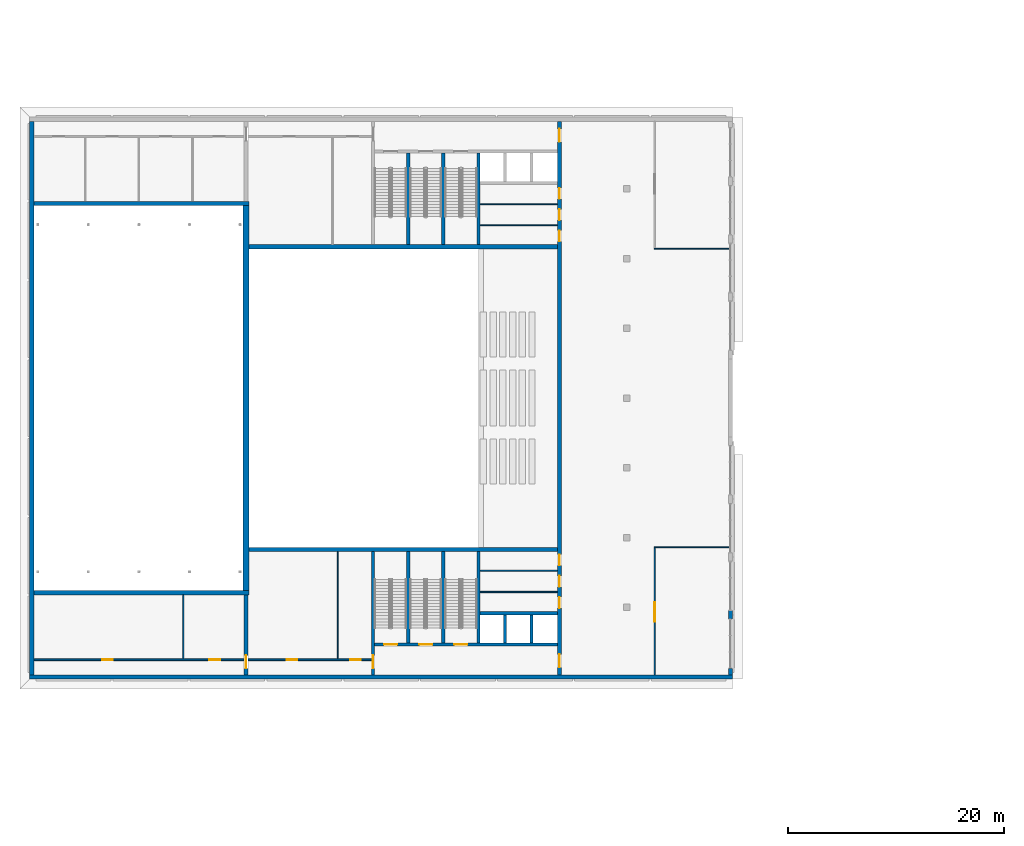
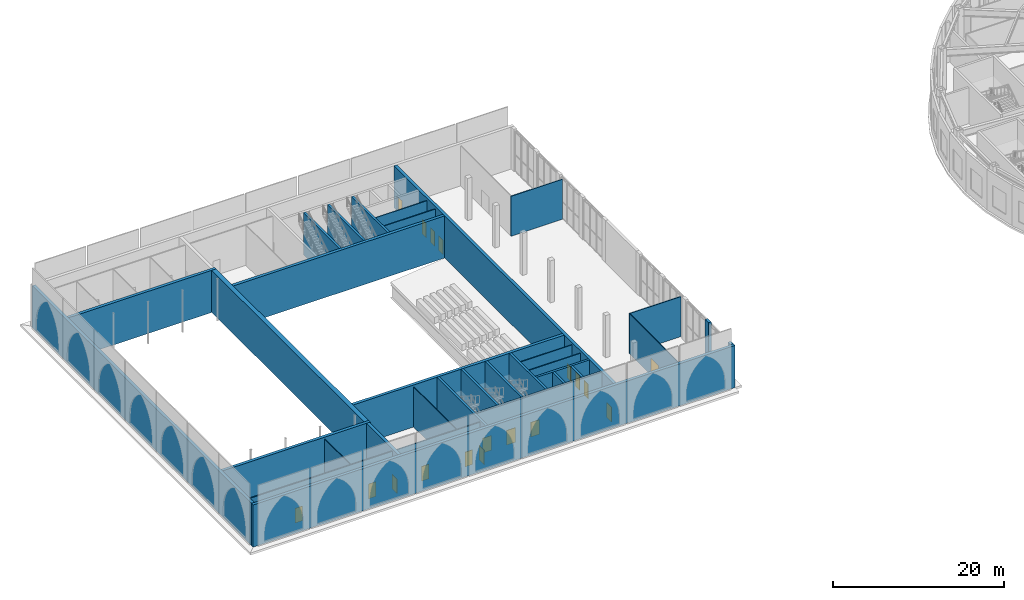
# One storey, part 17 of 74: 33 walls, 18 doors, 18 openings.
"""IFC4 building model written with IfcOpenShell, lengths in metres."""

from ifc_helpers import new_model, si_unit, direction, frame, frame_2d, origin, place, context, subcontext, project, spatial, rectangle, extrude, material, layer, layer_set, type_object, element, fill, save


model = new_model("IFC4")

# Units and contexts
model_context = context("Model", 3, precision=1e-05, world=origin(), true_north=direction((0.0, 1.0)))
body_context = subcontext(model_context, "Body", "Model", "MODEL_VIEW")
ifc_project = project(units=[si_unit("LENGTHUNIT", "METRE"), si_unit("AREAUNIT", "SQUARE_METRE"), si_unit("VOLUMEUNIT", "CUBIC_METRE"), si_unit("PLANEANGLEUNIT", "RADIAN"), si_unit("MASSUNIT", "GRAM", prefix="KILO")], contexts=[model_context])

# Site, building, storey
site_placement = place(None, origin())
site = spatial("IfcSite", under=ifc_project, at=site_placement, CompositionType="ELEMENT")
building_placement = place(site_placement, origin())
building = spatial("IfcBuilding", under=site, at=building_placement, Name="Noorbagh Ring Tower", CompositionType="ELEMENT")
storey_placement = place(building_placement, frame((0.0, 0.0, 13.5)))
storey = spatial("IfcBuildingStorey", under=building, at=storey_placement, Name="L02", CompositionType="ELEMENT", Elevation=13.5)

# Walls
ifc_material_1 = material(Name="Gypsum board on steel studs", Category="steel")
ifc_layer_1 = layer(ifc_material_1, 0.10009765625)
ifc_layer_set_1 = layer_set([ifc_layer_1], Name="Gypsum board on steel studs")
wall_type_1 = type_object("IfcWallType", Name="TH-PART-100", PredefinedType="PARTITIONING", material=ifc_layer_set_1)
for number, where, z_axis, x_axis, name in (
    (1, (-118.35009765625, -12.93310546875, 0.0), (0.0, 0.0, 1.0), (1.0, 0.0, 0.0), "L02/th-wall/048"),
    (2, (-118.35009765625, -10.967041015625, 0.0), (0.0, 0.0, 1.0), (1.0, 0.0, 0.0), "L02/th-wall/049"),
):
    element("IfcWall", number, at=place(storey_placement, frame(where, z_axis=z_axis, x_axis=x_axis)), inside=storey, type_object=wall_type_1, Name=name, PredefinedType="PARTITIONING", context=body_context, shape_type="SweptSolid", body=[
        extrude(rectangle(XDim=7.150146484375, YDim=0.10009765625, at=frame_2d((3.5751953125, 0.0))), origin(), (0.0, 0.0, 1.0), 5.699951171875),
    ])
for number, where, z_axis, x_axis, name in (
    (3, (-102.25, -8.800048828125, 0.0), (0.0, 0.0, 1.0), (1.0, 0.0, 0.0), "L02/th-wall/050"),
    (4, (-102.25, 18.800048828125, 0.0), (0.0, 0.0, 1.0), (1.0, 0.0, 0.0), "L02/th-wall/051"),
):
    element("IfcWall", number, at=place(storey_placement, frame(where, z_axis=z_axis, x_axis=x_axis)), inside=storey, type_object=wall_type_1, Name=name, PredefinedType="PARTITIONING", context=body_context, shape_type="SweptSolid", body=[
        extrude(rectangle(XDim=6.949951171875, YDim=0.10009765625, at=frame_2d((3.47509765625, 0.0))), origin(), (0.0, 0.0, 1.0), 5.699951171875),
    ])
for number, where, z_axis, x_axis, name in (
    (5, (-118.35009765625, 20.967041015625, 0.0), (0.0, 0.0, 1.0), (1.0, 0.0, 0.0), "L02/th-wall/052"),
    (6, (-118.35009765625, 22.93310546875, 0.0), (0.0, 0.0, 1.0), (1.0, 0.0, 0.0), "L02/th-wall/053"),
):
    element("IfcWall", number, at=place(storey_placement, frame(where, z_axis=z_axis, x_axis=x_axis)), inside=storey, type_object=wall_type_1, Name=name, PredefinedType="PARTITIONING", context=body_context, shape_type="SweptSolid", body=[
        extrude(rectangle(XDim=7.150146484375, YDim=0.10009765625, at=frame_2d((3.5751953125, 0.0))), origin(), (0.0, 0.0, 1.0), 5.699951171875),
    ])
wall_1_placement = place(storey_placement, frame((-145.800048828125, -19.125, 0.0), z_axis=(0.0, 0.0, 1.0), x_axis=(0.0, 1.0, 0.0)))
element("IfcWall", 7, at=wall_1_placement, inside=storey, type_object=wall_type_1, Name="L02/th-wall/058", PredefinedType="PARTITIONING", context=body_context, shape_type="SweptSolid", body=[
    extrude(rectangle(XDim=5.925048828125, YDim=0.10009765625, at=frame_2d((2.96240234375, 0.0))), origin(), (0.0, 0.0, 1.0), 5.699951171875),
])
wall_2_placement = place(storey_placement, frame((-131.5, -19.125, 0.0), z_axis=(0.0, 0.0, 1.0), x_axis=(0.0, 1.0, 0.0)))
element("IfcWall", 8, at=wall_2_placement, inside=storey, type_object=wall_type_1, Name="L02/th-wall/061", PredefinedType="PARTITIONING", context=body_context, shape_type="SweptSolid", body=[
    extrude(rectangle(XDim=9.925048828125, YDim=0.10009765625, at=frame_2d((4.96240234375, 0.0))), origin(), (0.0, 0.0, 1.0), 5.699951171875),
])

# Wall, opening, door
wall_3_placement = place(storey_placement, frame((-102.199951171875, -20.60009765625, 0.0), z_axis=(0.0, 0.0, 1.0), x_axis=(0.0, 1.0, 0.0)))
wall_3 = element("IfcWall", 9, at=wall_3_placement, inside=storey, type_object=wall_type_1, Name="L02/th-wall/062", PredefinedType="PARTITIONING", context=body_context, shape_type="SweptSolid", body=[
    extrude(rectangle(XDim=11.75, YDim=0.10009765625, at=frame_2d((5.875, 0.0))), origin(), (0.0, 0.0, 1.0), 5.699951171875),
])
opening_1_placement = place(wall_3_placement, frame((4.89990234375, 0.0, 0.0)))
opening_1 = element("IfcOpeningElement", 10, at=opening_1_placement, cuts=wall_3, Name="Opening TL02-D21", PredefinedType="OPENING", context=body_context, shape_type="SweptSolid", body=[
    extrude(rectangle(XDim=1.800048828125, YDim=2.39990234375, at=frame_2d((0.89990234375, 1.199951171875))), frame((0.0, 0.06005859375, 0.0), z_axis=(0.0, -1.0, 0.0), x_axis=(1.0, 0.0, 0.0)), (0.0, 0.0, 1.0), 0.1201171875),
])
ifc_material_2 = material(Name="Timber", Category="wood")
door_type_1 = type_object("IfcDoorType", Name="TH-DOOR-DBL-1800", OperationType="DOUBLE_DOOR_SINGLE_SWING", PredefinedType="DOOR", material=ifc_material_2)
door_1_placement = place(opening_1_placement, origin())
door_1 = element("IfcDoor", 11, at=door_1_placement, inside=storey, type_object=door_type_1, Name="Door Balcony foyer to Sponsors lounge TL02-D21", OperationType="DOUBLE_DOOR_SINGLE_SWING", OverallHeight=2.39990234375, OverallWidth=1.800048828125, PredefinedType="DOOR", context=body_context, shape_type="SweptSolid", body=[
    extrude(rectangle(XDim=1.800048828125, YDim=2.39990234375, at=frame_2d((0.89990234375, 1.199951171875))), frame((0.0, 0.02490234375, 0.0), z_axis=(0.0, -1.0, 0.0), x_axis=(1.0, 0.0, 0.0)), (0.0, 0.0, 1.0), 0.050048828125),
])
fill(opening_1, door_1)

# Wall, openings, doors
ifc_material_3 = material(Name="Gypsum board on steel studs", Category="steel")
ifc_layer_2 = layer(ifc_material_3, 0.14990234375)
ifc_layer_set_2 = layer_set([ifc_layer_2], Name="Gypsum board on steel studs")
wall_type_2 = type_object("IfcWallType", Name="TH-PART-150", PredefinedType="PARTITIONING", material=ifc_layer_set_2)
wall_4_placement = place(storey_placement, frame((-159.60009765625, -19.199951171875, 0.0), z_axis=(0.0, 0.0, 1.0), x_axis=(1.0, 0.0, 0.0)))
wall_4 = element("IfcWall", 12, at=wall_4_placement, inside=storey, type_object=wall_type_2, Name="L02/th-wall/046", PredefinedType="PARTITIONING", context=body_context, shape_type="SweptSolid", body=[
    extrude(rectangle(XDim=19.400146484375, YDim=0.14990234375, at=frame_2d((9.7001953125, 0.0))), origin(), (0.0, 0.0, 1.0), 5.699951171875),
])
opening_2_placement = place(wall_4_placement, frame((6.300048828125, 0.0, 0.0)))
opening_2 = element("IfcOpeningElement", 13, at=opening_2_placement, cuts=wall_4, Name="Opening TL02-D01", PredefinedType="OPENING", context=body_context, shape_type="SweptSolid", body=[
    extrude(rectangle(XDim=1.0, YDim=2.10009765625, at=frame_2d((0.5, 1.050048828125))), frame((0.0, 0.0849609375, 0.0), z_axis=(0.0, -1.0, 0.0), x_axis=(1.0, 0.0, 0.0)), (0.0, 0.0, 1.0), 0.169921875),
])
opening_3_placement = place(wall_4_placement, frame((16.199951171875, 0.0, 0.0)))
opening_3 = element("IfcOpeningElement", 14, at=opening_3_placement, cuts=wall_4, Name="Opening TL02-D02", PredefinedType="OPENING", context=body_context, shape_type="SweptSolid", body=[
    extrude(rectangle(XDim=1.0, YDim=2.10009765625, at=frame_2d((0.5, 1.050048828125))), frame((0.0, 0.0849609375, 0.0), z_axis=(0.0, -1.0, 0.0), x_axis=(1.0, 0.0, 0.0)), (0.0, 0.0, 1.0), 0.169921875),
])
ifc_material_4 = material(Name="Timber", Category="wood")
door_type_2 = type_object("IfcDoorType", Name="TH-DOOR-1000", OperationType="SINGLE_SWING_LEFT", PredefinedType="DOOR", material=ifc_material_4)
door_2_placement = place(opening_2_placement, origin())
door_2 = element("IfcDoor", 15, at=door_2_placement, inside=storey, type_object=door_type_2, Name="Door Corridor to Rehearsal room TL02-D01", OperationType="SINGLE_SWING_RIGHT", OverallHeight=2.10009765625, OverallWidth=1.0, PredefinedType="DOOR", context=body_context, shape_type="SweptSolid", body=[
    extrude(rectangle(XDim=1.0, YDim=2.10009765625, at=frame_2d((0.5, 1.050048828125))), frame((0.0, 0.02490234375, 0.0), z_axis=(0.0, -1.0, 0.0), x_axis=(1.0, 0.0, 0.0)), (0.0, 0.0, 1.0), 0.050048828125),
])
fill(opening_2, door_2)
door_3_placement = place(opening_3_placement, origin())
door_3 = element("IfcDoor", 16, at=door_3_placement, inside=storey, type_object=door_type_2, Name="Door Corridor to Rehearsal store TL02-D02", OperationType="SINGLE_SWING_LEFT", OverallHeight=2.10009765625, OverallWidth=1.0, PredefinedType="DOOR", context=body_context, shape_type="SweptSolid", body=[
    extrude(rectangle(XDim=1.0, YDim=2.10009765625, at=frame_2d((0.5, 1.050048828125))), frame((0.0, 0.02490234375, 0.0), z_axis=(0.0, -1.0, 0.0), x_axis=(1.0, 0.0, 0.0)), (0.0, 0.0, 1.0), 0.050048828125),
])
fill(opening_3, door_3)

wall_5_placement = place(storey_placement, frame((-139.800048828125, -19.199951171875, 0.0), z_axis=(0.0, 0.0, 1.0), x_axis=(1.0, 0.0, 0.0)))
wall_5 = element("IfcWall", 17, at=wall_5_placement, inside=storey, type_object=wall_type_2, Name="L02/th-wall/047", PredefinedType="PARTITIONING", context=body_context, shape_type="SweptSolid", body=[
    extrude(rectangle(XDim=11.400146484375, YDim=0.14990234375, at=frame_2d((5.7001953125, 0.0))), origin(), (0.0, 0.0, 1.0), 5.699951171875),
])
opening_4_placement = place(wall_5_placement, frame((3.550048828125, 0.0, 0.0)))
opening_4 = element("IfcOpeningElement", 18, at=opening_4_placement, cuts=wall_5, Name="Opening TL02-D03", PredefinedType="OPENING", context=body_context, shape_type="SweptSolid", body=[
    extrude(rectangle(XDim=1.0, YDim=2.10009765625, at=frame_2d((0.5, 1.050048828125))), frame((0.0, 0.0849609375, 0.0), z_axis=(0.0, -1.0, 0.0), x_axis=(1.0, 0.0, 0.0)), (0.0, 0.0, 1.0), 0.169921875),
])
opening_5_placement = place(wall_5_placement, frame((9.425048828125, 0.0, 0.0)))
opening_5 = element("IfcOpeningElement", 19, at=opening_5_placement, cuts=wall_5, Name="Opening TL02-D04", PredefinedType="OPENING", context=body_context, shape_type="SweptSolid", body=[
    extrude(rectangle(XDim=1.0, YDim=2.10009765625, at=frame_2d((0.5, 1.050048828125))), frame((0.0, 0.0849609375, 0.0), z_axis=(0.0, -1.0, 0.0), x_axis=(1.0, 0.0, 0.0)), (0.0, 0.0, 1.0), 0.169921875),
])
door_4_placement = place(opening_4_placement, origin())
door_4 = element("IfcDoor", 20, at=door_4_placement, inside=storey, type_object=door_type_2, Name="Door Corridor to Dance studio TL02-D03", OperationType="SINGLE_SWING_RIGHT", OverallHeight=2.10009765625, OverallWidth=1.0, PredefinedType="DOOR", context=body_context, shape_type="SweptSolid", body=[
    extrude(rectangle(XDim=1.0, YDim=2.10009765625, at=frame_2d((0.5, 1.050048828125))), frame((0.0, 0.02490234375, 0.0), z_axis=(0.0, -1.0, 0.0), x_axis=(1.0, 0.0, 0.0)), (0.0, 0.0, 1.0), 0.050048828125),
])
fill(opening_4, door_4)
door_5_placement = place(opening_5_placement, origin())
door_5 = element("IfcDoor", 21, at=door_5_placement, inside=storey, type_object=door_type_2, Name="Door Corridor to Music practice room TL02-D04", OperationType="SINGLE_SWING_LEFT", OverallHeight=2.10009765625, OverallWidth=1.0, PredefinedType="DOOR", context=body_context, shape_type="SweptSolid", body=[
    extrude(rectangle(XDim=1.0, YDim=2.10009765625, at=frame_2d((0.5, 1.050048828125))), frame((0.0, 0.02490234375, 0.0), z_axis=(0.0, -1.0, 0.0), x_axis=(1.0, 0.0, 0.0)), (0.0, 0.0, 1.0), 0.050048828125),
])
fill(opening_5, door_5)

# Wall, opening, door
ifc_material_5 = material(Name="Concrete C50/60", Category="concrete")
ifc_layer_3 = layer(ifc_material_5, 0.300048828125)
ifc_layer_set_3 = layer_set([ifc_layer_3], Name="Concrete C50/60")
wall_type_3 = type_object("IfcWallType", Name="TH-WALL-CORE", PredefinedType="SHEAR", material=ifc_layer_set_3)
wall_6_placement = place(storey_placement, frame((-128.25, -20.60009765625, 0.0), z_axis=(0.0, 0.0, 1.0), x_axis=(0.0, 1.0, 0.0)))
wall_6 = element("IfcWall", 22, at=wall_6_placement, inside=storey, type_object=wall_type_3, Name="Core wall", PredefinedType="SHEAR", context=body_context, shape_type="SweptSolid", body=[
    extrude(rectangle(XDim=11.400146484375, YDim=0.300048828125, at=frame_2d((5.7001953125, 0.0))), origin(), (0.0, 0.0, 1.0), 6.0),
])
opening_6_placement = place(wall_6_placement, frame((0.60009765625, 0.0, 0.0)))
opening_6 = element("IfcOpeningElement", 23, at=opening_6_placement, cuts=wall_6, Name="Opening TL02-D06", PredefinedType="OPENING", context=body_context, shape_type="SweptSolid", body=[
    extrude(rectangle(XDim=1.199951171875, YDim=2.10009765625, at=frame_2d((0.60009765625, 1.050048828125))), frame((0.0, 0.16015625, 0.0), z_axis=(0.0, -1.0, 0.0), x_axis=(1.0, 0.0, 0.0)), (0.0, 0.0, 1.0), 0.320068359375),
])
ifc_material_6 = material(Name="Steel", Category="steel")
door_type_3 = type_object("IfcDoorType", Name="TH-DOOR-FIRE-1200", OperationType="SINGLE_SWING_LEFT", PredefinedType="DOOR", material=ifc_material_6)
door_6_placement = place(opening_6_placement, origin())
door_6 = element("IfcDoor", 24, at=door_6_placement, inside=storey, type_object=door_type_3, Name="Door Corridor to Exit lobby TL02-D06", OperationType="SINGLE_SWING_LEFT", OverallHeight=2.10009765625, OverallWidth=1.199951171875, PredefinedType="DOOR", context=body_context, shape_type="SweptSolid", body=[
    extrude(rectangle(XDim=1.199951171875, YDim=2.10009765625, at=frame_2d((0.60009765625, 1.050048828125))), frame((0.0, 0.02490234375, 0.0), z_axis=(0.0, -1.0, 0.0), x_axis=(1.0, 0.0, 0.0)), (0.0, 0.0, 1.0), 0.050048828125),
])
fill(opening_6, door_6)

# Wall, openings, doors
wall_7_placement = place(storey_placement, frame((-128.10009765625, -17.800048828125, 0.0), z_axis=(0.0, 0.0, 1.0), x_axis=(1.0, 0.0, 0.0)))
wall_7 = element("IfcWall", 25, at=wall_7_placement, inside=storey, type_object=wall_type_3, Name="Exit lobby wall", PredefinedType="SHEAR", context=body_context, shape_type="SweptSolid", body=[
    extrude(rectangle(XDim=16.900146484375, YDim=0.300048828125, at=frame_2d((8.4501953125, 0.0))), origin(), (0.0, 0.0, 1.0), 6.0),
])
opening_7_placement = place(wall_7_placement, frame((4.125, 0.0, 0.0)))
opening_7 = element("IfcOpeningElement", 26, at=opening_7_placement, cuts=wall_7, Name="Opening TL02-D07", PredefinedType="OPENING", context=body_context, shape_type="SweptSolid", body=[
    extrude(rectangle(XDim=1.199951171875, YDim=2.10009765625, at=frame_2d((0.60009765625, 1.050048828125))), frame((0.0, 0.16015625, 0.0), z_axis=(0.0, -1.0, 0.0), x_axis=(1.0, 0.0, 0.0)), (0.0, 0.0, 1.0), 0.320068359375),
])
opening_8_placement = place(wall_7_placement, frame((7.375, 0.0, 0.0)))
opening_8 = element("IfcOpeningElement", 27, at=opening_8_placement, cuts=wall_7, Name="Opening TL02-D08", PredefinedType="OPENING", context=body_context, shape_type="SweptSolid", body=[
    extrude(rectangle(XDim=1.199951171875, YDim=2.10009765625, at=frame_2d((0.60009765625, 1.050048828125))), frame((0.0, 0.16015625, 0.0), z_axis=(0.0, -1.0, 0.0), x_axis=(1.0, 0.0, 0.0)), (0.0, 0.0, 1.0), 0.320068359375),
])
opening_9_placement = place(wall_7_placement, frame((0.875, 0.0, 0.0)))
opening_9 = element("IfcOpeningElement", 28, at=opening_9_placement, cuts=wall_7, Name="Opening TL02-D09", PredefinedType="OPENING", context=body_context, shape_type="SweptSolid", body=[
    extrude(rectangle(XDim=1.199951171875, YDim=2.10009765625, at=frame_2d((0.60009765625, 1.050048828125))), frame((0.0, 0.16015625, 0.0), z_axis=(0.0, -1.0, 0.0), x_axis=(1.0, 0.0, 0.0)), (0.0, 0.0, 1.0), 0.320068359375),
])
ifc_material_7 = material(Name="Steel", Category="steel")
door_type_4 = type_object("IfcDoorType", Name="TH-DOOR-STAIR-1200", OperationType="SINGLE_SWING_LEFT", PredefinedType="DOOR", material=ifc_material_7)
door_7_placement = place(opening_7_placement, origin())
door_7 = element("IfcDoor", 29, at=door_7_placement, inside=storey, type_object=door_type_4, Name="Door Exit lobby to Exit stair S1 TL02-D07", OperationType="SINGLE_SWING_RIGHT", OverallHeight=2.10009765625, OverallWidth=1.199951171875, PredefinedType="DOOR", context=body_context, shape_type="SweptSolid", body=[
    extrude(rectangle(XDim=1.199951171875, YDim=2.10009765625, at=frame_2d((0.60009765625, 1.050048828125))), frame((0.0, 0.02490234375, 0.0), z_axis=(0.0, -1.0, 0.0), x_axis=(1.0, 0.0, 0.0)), (0.0, 0.0, 1.0), 0.050048828125),
])
fill(opening_7, door_7)
door_8_placement = place(opening_8_placement, origin())
door_8 = element("IfcDoor", 30, at=door_8_placement, inside=storey, type_object=door_type_4, Name="Door Exit lobby to Exit stair S2 TL02-D08", OperationType="SINGLE_SWING_RIGHT", OverallHeight=2.10009765625, OverallWidth=1.199951171875, PredefinedType="DOOR", context=body_context, shape_type="SweptSolid", body=[
    extrude(rectangle(XDim=1.199951171875, YDim=2.10009765625, at=frame_2d((0.60009765625, 1.050048828125))), frame((0.0, 0.02490234375, 0.0), z_axis=(0.0, -1.0, 0.0), x_axis=(1.0, 0.0, 0.0)), (0.0, 0.0, 1.0), 0.050048828125),
])
fill(opening_8, door_8)
door_9_placement = place(opening_9_placement, origin())
door_9 = element("IfcDoor", 31, at=door_9_placement, inside=storey, type_object=door_type_4, Name="Door Exit lobby to Exit stair S3 TL02-D09", OperationType="SINGLE_SWING_RIGHT", OverallHeight=2.10009765625, OverallWidth=1.199951171875, PredefinedType="DOOR", context=body_context, shape_type="SweptSolid", body=[
    extrude(rectangle(XDim=1.199951171875, YDim=2.10009765625, at=frame_2d((0.60009765625, 1.050048828125))), frame((0.0, 0.02490234375, 0.0), z_axis=(0.0, -1.0, 0.0), x_axis=(1.0, 0.0, 0.0)), (0.0, 0.0, 1.0), 0.050048828125),
])
fill(opening_9, door_9)

# Walls
for number, where, z_axis, x_axis, name in (
    (32, (-125.0, -17.64990234375, 0.0), (0.0, 0.0, 1.0), (0.0, 1.0, 0.0), "Stair wall"),
    (33, (-121.75, -17.64990234375, 0.0), (0.0, 0.0, 1.0), (0.0, 1.0, 0.0), "Stair wall"),
    (34, (-118.5, -17.64990234375, 0.0), (0.0, 0.0, 1.0), (0.0, 1.0, 0.0), "Stair wall"),
):
    element("IfcWall", number, at=place(storey_placement, frame(where, z_axis=z_axis, x_axis=x_axis)), inside=storey, type_object=wall_type_3, Name=name, PredefinedType="SHEAR", context=body_context, shape_type="SweptSolid", body=[
        extrude(rectangle(XDim=8.449951171875, YDim=0.300048828125, at=frame_2d((4.22509765625, 0.0))), origin(), (0.0, 0.0, 1.0), 6.0),
    ])
wall_8_placement = place(storey_placement, frame((-118.35009765625, -14.89990234375, 0.0), z_axis=(0.0, 0.0, 1.0), x_axis=(1.0, 0.0, 0.0)))
element("IfcWall", 35, at=wall_8_placement, inside=storey, type_object=wall_type_3, Name="Lift shaft wall", PredefinedType="SHEAR", context=body_context, shape_type="SweptSolid", body=[
    extrude(rectangle(XDim=7.150146484375, YDim=0.300048828125, at=frame_2d((3.5751953125, 0.0))), origin(), (0.0, 0.0, 1.0), 6.0),
])
for number, where, z_axis, x_axis, name in (
    (36, (-116.050048828125, -17.64990234375, 0.0), (0.0, 0.0, 1.0), (0.0, 1.0, 0.0), "Lift shaft wall"),
    (37, (-113.60009765625, -17.64990234375, 0.0), (0.0, 0.0, 1.0), (0.0, 1.0, 0.0), "Lift shaft wall"),
):
    element("IfcWall", number, at=place(storey_placement, frame(where, z_axis=z_axis, x_axis=x_axis)), inside=storey, type_object=wall_type_3, Name=name, PredefinedType="SHEAR", context=body_context, shape_type="SweptSolid", body=[
        extrude(rectangle(XDim=2.599853515625, YDim=0.300048828125, at=frame_2d((1.2998046875, 0.0))), origin(), (0.0, 0.0, 1.0), 6.0),
    ])
for number, where, z_axis, x_axis, name in (
    (38, (-125.0, 19.199951171875, 0.0), (0.0, 0.0, 1.0), (0.0, 1.0, 0.0), "Stair wall"),
    (39, (-121.75, 19.199951171875, 0.0), (0.0, 0.0, 1.0), (0.0, 1.0, 0.0), "Stair wall"),
    (40, (-118.5, 19.199951171875, 0.0), (0.0, 0.0, 1.0), (0.0, 1.0, 0.0), "Stair wall"),
):
    element("IfcWall", number, at=place(storey_placement, frame(where, z_axis=z_axis, x_axis=x_axis)), inside=storey, type_object=wall_type_3, Name=name, PredefinedType="SHEAR", context=body_context, shape_type="SweptSolid", body=[
        extrude(rectangle(XDim=8.449951171875, YDim=0.300048828125, at=frame_2d((4.22509765625, 0.0))), origin(), (0.0, 0.0, 1.0), 6.0),
    ])
ifc_material_8 = material(Name="Concrete C50/60", Category="concrete")
ifc_layer_4 = layer(ifc_material_8, 0.39990234375)
ifc_layer_set_4 = layer_set([ifc_layer_4], Name="Concrete C50/60")
wall_type_4 = type_object("IfcWallType", Name="TH-WALL-HALL", PredefinedType="SOLIDWALL", material=ifc_layer_set_4)
for number, where, z_axis, x_axis, name in (
    (41, (-139.699951171875, -9.0, 0.0), (0.0, 0.0, 1.0), (1.0, 0.0, 0.0), "Auditorium wall south"),
    (42, (-139.699951171875, 19.0, 0.0), (0.0, 0.0, 1.0), (1.0, 0.0, 0.0), "Auditorium wall north"),
):
    element("IfcWall", number, at=place(storey_placement, frame(where, z_axis=z_axis, x_axis=x_axis)), inside=storey, type_object=wall_type_4, Name=name, PredefinedType="SOLIDWALL", context=body_context, shape_type="SweptSolid", body=[
        extrude(rectangle(XDim=28.5, YDim=0.39990234375, at=frame_2d((14.25, 0.0))), origin(), (0.0, 0.0, 1.0), 6.0),
    ])

# Wall, openings, doors
wall_9_placement = place(storey_placement, frame((-111.0, -20.60009765625, 0.0), z_axis=(0.0, 0.0, 1.0), x_axis=(0.0, 1.0, 0.0)))
wall_9 = element("IfcWall", 43, at=wall_9_placement, inside=storey, type_object=wall_type_4, Name="Auditorium rear wall", PredefinedType="SOLIDWALL", context=body_context, shape_type="SweptSolid", body=[
    extrude(rectangle(XDim=51.2001953125, YDim=0.39990234375, at=frame_2d((25.60009765625, 0.0))), origin(), (0.0, 0.0, 1.0), 6.0),
])
opening_10_placement = place(wall_9_placement, frame((0.699951171875, 0.0, 0.0)))
opening_10 = element("IfcOpeningElement", 44, at=opening_10_placement, cuts=wall_9, Name="Opening TL02-D23", PredefinedType="OPENING", context=body_context, shape_type="SweptSolid", body=[
    extrude(rectangle(XDim=1.199951171875, YDim=2.10009765625, at=frame_2d((0.60009765625, 1.050048828125))), frame((0.0, 0.2099609375, 0.0), z_axis=(0.0, -1.0, 0.0), x_axis=(1.0, 0.0, 0.0)), (0.0, 0.0, 1.0), 0.419921875),
])
opening_11_placement = place(wall_9_placement, frame((6.18408203125, 0.0, 0.0)))
opening_11 = element("IfcOpeningElement", 45, at=opening_11_placement, cuts=wall_9, Name="Opening TL02-D24", PredefinedType="OPENING", context=body_context, shape_type="SweptSolid", body=[
    extrude(rectangle(XDim=1.0, YDim=2.10009765625, at=frame_2d((0.5, 1.050048828125))), frame((0.0, 0.2099609375, 0.0), z_axis=(0.0, -1.0, 0.0), x_axis=(1.0, 0.0, 0.0)), (0.0, 0.0, 1.0), 0.419921875),
])
opening_12_placement = place(wall_9_placement, frame((8.14990234375, 0.0, 0.0)))
opening_12 = element("IfcOpeningElement", 46, at=opening_12_placement, cuts=wall_9, Name="Opening TL02-D25", PredefinedType="OPENING", context=body_context, shape_type="SweptSolid", body=[
    extrude(rectangle(XDim=1.0, YDim=2.10009765625, at=frame_2d((0.5, 1.050048828125))), frame((0.0, 0.2099609375, 0.0), z_axis=(0.0, -1.0, 0.0), x_axis=(1.0, 0.0, 0.0)), (0.0, 0.0, 1.0), 0.419921875),
])
opening_13_placement = place(wall_9_placement, frame((10.116943359375, 0.0, 0.0)))
opening_13 = element("IfcOpeningElement", 47, at=opening_13_placement, cuts=wall_9, Name="Opening TL02-D26", PredefinedType="OPENING", context=body_context, shape_type="SweptSolid", body=[
    extrude(rectangle(XDim=1.0, YDim=2.10009765625, at=frame_2d((0.5, 1.050048828125))), frame((0.0, 0.2099609375, 0.0), z_axis=(0.0, -1.0, 0.0), x_axis=(1.0, 0.0, 0.0)), (0.0, 0.0, 1.0), 0.419921875),
])
opening_14_placement = place(wall_9_placement, frame((49.300048828125, 0.0, 0.0)))
opening_14 = element("IfcOpeningElement", 48, at=opening_14_placement, cuts=wall_9, Name="Opening TL02-D27", PredefinedType="OPENING", context=body_context, shape_type="SweptSolid", body=[
    extrude(rectangle(XDim=1.199951171875, YDim=2.10009765625, at=frame_2d((0.60009765625, 1.050048828125))), frame((0.0, 0.2099609375, 0.0), z_axis=(0.0, -1.0, 0.0), x_axis=(1.0, 0.0, 0.0)), (0.0, 0.0, 1.0), 0.419921875),
])
opening_15_placement = place(wall_9_placement, frame((44.01708984375, 0.0, 0.0)))
opening_15 = element("IfcOpeningElement", 49, at=opening_15_placement, cuts=wall_9, Name="Opening TL02-D28", PredefinedType="OPENING", context=body_context, shape_type="SweptSolid", body=[
    extrude(rectangle(XDim=1.0, YDim=2.10009765625, at=frame_2d((0.5, 1.050048828125))), frame((0.0, 0.2099609375, 0.0), z_axis=(0.0, -1.0, 0.0), x_axis=(1.0, 0.0, 0.0)), (0.0, 0.0, 1.0), 0.419921875),
])
opening_16_placement = place(wall_9_placement, frame((42.050048828125, 0.0, 0.0)))
opening_16 = element("IfcOpeningElement", 50, at=opening_16_placement, cuts=wall_9, Name="Opening TL02-D29", PredefinedType="OPENING", context=body_context, shape_type="SweptSolid", body=[
    extrude(rectangle(XDim=1.0, YDim=2.10009765625, at=frame_2d((0.5, 1.050048828125))), frame((0.0, 0.2099609375, 0.0), z_axis=(0.0, -1.0, 0.0), x_axis=(1.0, 0.0, 0.0)), (0.0, 0.0, 1.0), 0.419921875),
])
opening_17_placement = place(wall_9_placement, frame((40.083984375, 0.0, 0.0)))
opening_17 = element("IfcOpeningElement", 51, at=opening_17_placement, cuts=wall_9, Name="Opening TL02-D30", PredefinedType="OPENING", context=body_context, shape_type="SweptSolid", body=[
    extrude(rectangle(XDim=1.0, YDim=2.10009765625, at=frame_2d((0.5, 1.050048828125))), frame((0.0, 0.2099609375, 0.0), z_axis=(0.0, -1.0, 0.0), x_axis=(1.0, 0.0, 0.0)), (0.0, 0.0, 1.0), 0.419921875),
])
door_10_placement = place(opening_11_placement, origin())
door_10 = element("IfcDoor", 52, at=door_10_placement, inside=storey, type_object=door_type_2, Name="Door Balcony foyer to Ladies WC TL02-D24", OperationType="SINGLE_SWING_RIGHT", OverallHeight=2.10009765625, OverallWidth=1.0, PredefinedType="DOOR", context=body_context, shape_type="SweptSolid", body=[
    extrude(rectangle(XDim=1.0, YDim=2.10009765625, at=frame_2d((0.5, 1.050048828125))), frame((0.0, 0.02490234375, 0.0), z_axis=(0.0, -1.0, 0.0), x_axis=(1.0, 0.0, 0.0)), (0.0, 0.0, 1.0), 0.050048828125),
])
fill(opening_11, door_10)
door_11_placement = place(opening_12_placement, origin())
door_11 = element("IfcDoor", 53, at=door_11_placement, inside=storey, type_object=door_type_2, Name="Door Balcony foyer to Gents WC TL02-D25", OperationType="SINGLE_SWING_RIGHT", OverallHeight=2.10009765625, OverallWidth=1.0, PredefinedType="DOOR", context=body_context, shape_type="SweptSolid", body=[
    extrude(rectangle(XDim=1.0, YDim=2.10009765625, at=frame_2d((0.5, 1.050048828125))), frame((0.0, 0.02490234375, 0.0), z_axis=(0.0, -1.0, 0.0), x_axis=(1.0, 0.0, 0.0)), (0.0, 0.0, 1.0), 0.050048828125),
])
fill(opening_12, door_11)
door_12_placement = place(opening_13_placement, origin())
door_12 = element("IfcDoor", 54, at=door_12_placement, inside=storey, type_object=door_type_2, Name="Door Balcony foyer to Accessible WC TL02-D26", OperationType="SINGLE_SWING_RIGHT", OverallHeight=2.10009765625, OverallWidth=1.0, PredefinedType="DOOR", context=body_context, shape_type="SweptSolid", body=[
    extrude(rectangle(XDim=1.0, YDim=2.10009765625, at=frame_2d((0.5, 1.050048828125))), frame((0.0, 0.02490234375, 0.0), z_axis=(0.0, -1.0, 0.0), x_axis=(1.0, 0.0, 0.0)), (0.0, 0.0, 1.0), 0.050048828125),
])
fill(opening_13, door_12)
door_13_placement = place(opening_15_placement, origin())
door_13 = element("IfcDoor", 55, at=door_13_placement, inside=storey, type_object=door_type_2, Name="Door Balcony foyer to Gents WC TL02-D28", OperationType="SINGLE_SWING_LEFT", OverallHeight=2.10009765625, OverallWidth=1.0, PredefinedType="DOOR", context=body_context, shape_type="SweptSolid", body=[
    extrude(rectangle(XDim=1.0, YDim=2.10009765625, at=frame_2d((0.5, 1.050048828125))), frame((0.0, 0.02490234375, 0.0), z_axis=(0.0, -1.0, 0.0), x_axis=(1.0, 0.0, 0.0)), (0.0, 0.0, 1.0), 0.050048828125),
])
fill(opening_15, door_13)
door_14_placement = place(opening_16_placement, origin())
door_14 = element("IfcDoor", 56, at=door_14_placement, inside=storey, type_object=door_type_2, Name="Door Balcony foyer to Ladies WC TL02-D29", OperationType="SINGLE_SWING_LEFT", OverallHeight=2.10009765625, OverallWidth=1.0, PredefinedType="DOOR", context=body_context, shape_type="SweptSolid", body=[
    extrude(rectangle(XDim=1.0, YDim=2.10009765625, at=frame_2d((0.5, 1.050048828125))), frame((0.0, 0.02490234375, 0.0), z_axis=(0.0, -1.0, 0.0), x_axis=(1.0, 0.0, 0.0)), (0.0, 0.0, 1.0), 0.050048828125),
])
fill(opening_16, door_14)
door_15_placement = place(opening_17_placement, origin())
door_15 = element("IfcDoor", 57, at=door_15_placement, inside=storey, type_object=door_type_2, Name="Door Balcony foyer to Accessible WC TL02-D30", OperationType="SINGLE_SWING_LEFT", OverallHeight=2.10009765625, OverallWidth=1.0, PredefinedType="DOOR", context=body_context, shape_type="SweptSolid", body=[
    extrude(rectangle(XDim=1.0, YDim=2.10009765625, at=frame_2d((0.5, 1.050048828125))), frame((0.0, 0.02490234375, 0.0), z_axis=(0.0, -1.0, 0.0), x_axis=(1.0, 0.0, 0.0)), (0.0, 0.0, 1.0), 0.050048828125),
])
fill(opening_17, door_15)
door_16_placement = place(opening_10_placement, origin())
door_16 = element("IfcDoor", 58, at=door_16_placement, inside=storey, type_object=door_type_3, Name="Door Balcony foyer to Exit lobby TL02-D23", OperationType="SINGLE_SWING_RIGHT", OverallHeight=2.10009765625, OverallWidth=1.199951171875, PredefinedType="DOOR", context=body_context, shape_type="SweptSolid", body=[
    extrude(rectangle(XDim=1.199951171875, YDim=2.10009765625, at=frame_2d((0.60009765625, 1.050048828125))), frame((0.0, 0.02490234375, 0.0), z_axis=(0.0, -1.0, 0.0), x_axis=(1.0, 0.0, 0.0)), (0.0, 0.0, 1.0), 0.050048828125),
])
fill(opening_10, door_16)
door_17_placement = place(opening_14_placement, origin())
door_17 = element("IfcDoor", 59, at=door_17_placement, inside=storey, type_object=door_type_3, Name="Door Balcony foyer to Exit lobby TL02-D27", OperationType="SINGLE_SWING_LEFT", OverallHeight=2.10009765625, OverallWidth=1.199951171875, PredefinedType="DOOR", context=body_context, shape_type="SweptSolid", body=[
    extrude(rectangle(XDim=1.199951171875, YDim=2.10009765625, at=frame_2d((0.60009765625, 1.050048828125))), frame((0.0, 0.02490234375, 0.0), z_axis=(0.0, -1.0, 0.0), x_axis=(1.0, 0.0, 0.0)), (0.0, 0.0, 1.0), 0.050048828125),
])
fill(opening_14, door_17)

# Wall, opening, door
ifc_material_9 = material(Name="Concrete C40/50", Category="concrete")
ifc_layer_5 = layer(ifc_material_9, 0.39990234375)
ifc_layer_set_5 = layer_set([ifc_layer_5], Name="Concrete C40/50")
wall_type_5 = type_object("IfcWallType", Name="TH-WALL-INNER", PredefinedType="SOLIDWALL", material=ifc_layer_set_5)
wall_10_placement = place(storey_placement, frame((-140.0, -20.60009765625, 0.0), z_axis=(0.0, 0.0, 1.0), x_axis=(0.0, 1.0, 0.0)))
wall_10 = element("IfcWall", 60, at=wall_10_placement, inside=storey, type_object=wall_type_5, Name="Stage block wall", PredefinedType="SOLIDWALL", context=body_context, shape_type="SweptSolid", body=[
    extrude(rectangle(XDim=7.400146484375, YDim=0.39990234375, at=frame_2d((3.7001953125, 0.0))), origin(), (0.0, 0.0, 1.0), 6.0),
])
opening_18_placement = place(wall_10_placement, frame((0.60009765625, 0.0, 0.0)))
opening_18 = element("IfcOpeningElement", 61, at=opening_18_placement, cuts=wall_10, Name="Opening TL02-D05", PredefinedType="OPENING", context=body_context, shape_type="SweptSolid", body=[
    extrude(rectangle(XDim=1.199951171875, YDim=2.10009765625, at=frame_2d((0.60009765625, 1.050048828125))), frame((0.0, 0.2099609375, 0.0), z_axis=(0.0, -1.0, 0.0), x_axis=(1.0, 0.0, 0.0)), (0.0, 0.0, 1.0), 0.419921875),
])
ifc_material_10 = material(Name="Timber", Category="wood")
door_type_5 = type_object("IfcDoorType", Name="TH-DOOR-1200", OperationType="SINGLE_SWING_LEFT", PredefinedType="DOOR", material=ifc_material_10)
door_18_placement = place(opening_18_placement, origin())
door_18 = element("IfcDoor", 62, at=door_18_placement, inside=storey, type_object=door_type_5, Name="Door Corridor to Corridor TL02-D05", OperationType="SINGLE_SWING_LEFT", OverallHeight=2.10009765625, OverallWidth=1.199951171875, PredefinedType="DOOR", context=body_context, shape_type="SweptSolid", body=[
    extrude(rectangle(XDim=1.199951171875, YDim=2.10009765625, at=frame_2d((0.60009765625, 1.050048828125))), frame((0.0, 0.02490234375, 0.0), z_axis=(0.0, -1.0, 0.0), x_axis=(1.0, 0.0, 0.0)), (0.0, 0.0, 1.0), 0.050048828125),
])
fill(opening_18, door_18)

# Walls
for number, where, z_axis, x_axis, name in (
    (63, (-159.60009765625, -13.0, 0.0), (0.0, 0.0, 1.0), (1.0, 0.0, 0.0), "Stage house wall south"),
    (64, (-159.60009765625, 23.0, 0.0), (0.0, 0.0, 1.0), (1.0, 0.0, 0.0), "Stage house wall north"),
):
    element("IfcWall", number, at=place(storey_placement, frame(where, z_axis=z_axis, x_axis=x_axis)), inside=storey, type_object=wall_type_5, Name=name, PredefinedType="SOLIDWALL", context=body_context, shape_type="SweptSolid", body=[
        extrude(rectangle(XDim=19.900146484375, YDim=0.39990234375, at=frame_2d((9.9501953125, 0.0))), origin(), (0.0, 0.0, 1.0), 6.0),
    ])
ifc_material_11 = material(Name="Concrete C40/50", Category="concrete")
ifc_layer_6 = layer(ifc_material_11, 0.39990234375)
ifc_layer_set_6 = layer_set([ifc_layer_6], Name="Concrete C40/50")
wall_type_6 = type_object("IfcWallType", Name="TH-WALL-OUTER", PredefinedType="SOLIDWALL", material=ifc_layer_set_6)
wall_11_placement = place(storey_placement, frame((-160.0, -20.800048828125, 0.0), z_axis=(0.0, 0.0, 1.0), x_axis=(1.0, 0.0, 0.0)))
element("IfcWall", 65, at=wall_11_placement, inside=storey, type_object=wall_type_6, Name="Outer wall south", PredefinedType="SOLIDWALL", context=body_context, shape_type="SweptSolid", body=[
    extrude(rectangle(XDim=65.0, YDim=0.39990234375, at=frame_2d((32.5, 0.0))), origin(), (0.0, 0.0, 1.0), 6.0),
])
wall_12_placement = place(storey_placement, frame((-159.800048828125, -20.60009765625, 0.0), z_axis=(0.0, 0.0, 1.0), x_axis=(0.0, 1.0, 0.0)))
element("IfcWall", 66, at=wall_12_placement, inside=storey, type_object=wall_type_6, Name="Outer wall west", PredefinedType="SOLIDWALL", context=body_context, shape_type="SweptSolid", body=[
    extrude(rectangle(XDim=51.2001953125, YDim=0.39990234375, at=frame_2d((25.60009765625, 0.0))), origin(), (0.0, 0.0, 1.0), 6.0),
])
wall_13_placement = place(storey_placement, frame((-95.199951171875, -20.60009765625, 0.0), z_axis=(0.0, 0.0, 1.0), x_axis=(0.0, 1.0, 0.0)))
element("IfcWall", 67, at=wall_13_placement, inside=storey, type_object=wall_type_6, Name="Foyer pier", PredefinedType="SOLIDWALL", context=body_context, shape_type="SweptSolid", body=[
    extrude(rectangle(XDim=0.60009765625, YDim=0.39990234375, at=frame_2d((0.300048828125, 0.0))), origin(), (0.0, 0.0, 1.0), 6.0),
])
wall_14_placement = place(storey_placement, frame((-95.199951171875, -15.449951171875, 0.0), z_axis=(0.0, 0.0, 1.0), x_axis=(0.0, 1.0, 0.0)))
element("IfcWall", 68, at=wall_14_placement, inside=storey, type_object=wall_type_6, Name="Foyer pier", PredefinedType="SOLIDWALL", context=body_context, shape_type="SweptSolid", body=[
    extrude(rectangle(XDim=0.800048828125, YDim=0.39990234375, at=frame_2d((0.39990234375, 0.0))), origin(), (0.0, 0.0, 1.0), 6.0),
])
ifc_material_12 = material(Name="Concrete C50/60", Category="concrete")
ifc_layer_7 = layer(ifc_material_12, 0.60009765625)
ifc_layer_set_7 = layer_set([ifc_layer_7], Name="Concrete C50/60")
wall_type_7 = type_object("IfcWallType", Name="TH-WALL-PROSC", PredefinedType="SOLIDWALL", material=ifc_layer_set_7)
wall_15_placement = place(storey_placement, frame((-140.0, -12.800048828125, 0.0), z_axis=(0.0, 0.0, 1.0), x_axis=(0.0, 1.0, 0.0)))
element("IfcWall", 69, at=wall_15_placement, inside=storey, type_object=wall_type_7, Name="Proscenium wall", PredefinedType="SOLIDWALL", context=body_context, shape_type="SweptSolid", body=[
    extrude(rectangle(XDim=35.60009765625, YDim=0.60009765625, at=frame_2d((17.800048828125, 0.0))), origin(), (0.0, 0.0, 1.0), 6.0),
])

save(model, "model.ifc")
